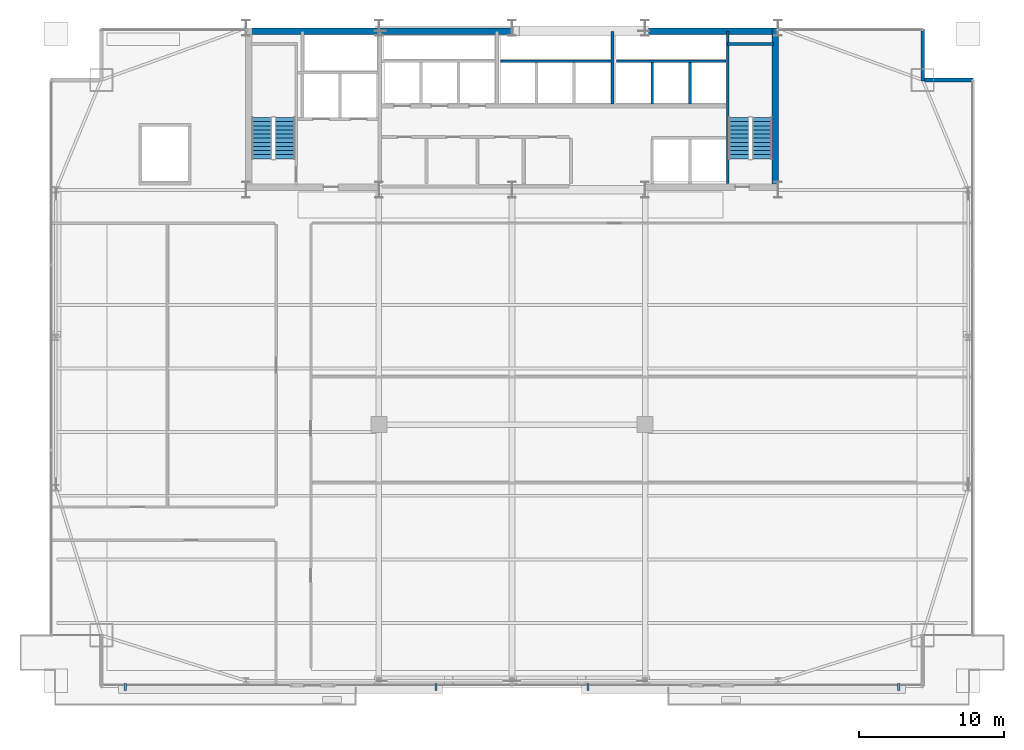
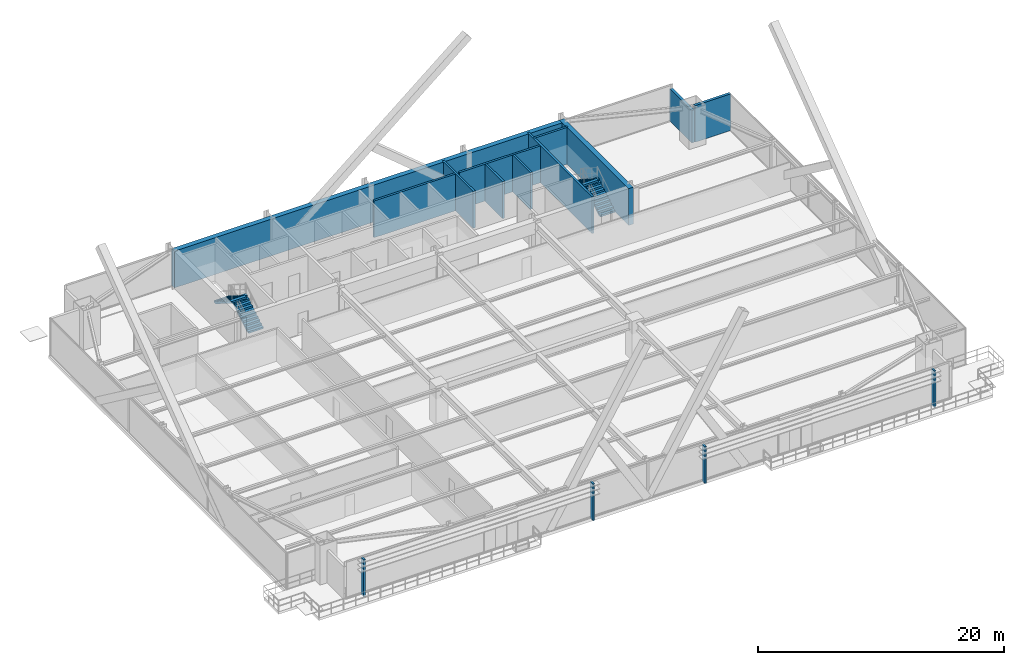
# One storey, part 31 of 34: 11 walls, 4 discrete accessories, 4 stair flights, 2 elements without a shape of their own.
"""IFC4 building model written with IfcOpenShell, lengths in metres."""

from ifc_helpers import new_model, si_unit, direction, frame, frame_2d, origin, origin_2d, place, context, subcontext, project, spatial, polyline, rectangle, outline, extrude, source, transform, mapped, material, layer, layer_set, type_object, type_shapes, element, aggregate, save


model = new_model("IFC4")

# Units and contexts
model_context = context("Model", 3, precision=1e-05, world=origin(), true_north=direction((0.0, 1.0)))
body_context = subcontext(model_context, "Body", "Model", "MODEL_VIEW")
ifc_project = project(units=[si_unit("LENGTHUNIT", "METRE"), si_unit("AREAUNIT", "SQUARE_METRE"), si_unit("VOLUMEUNIT", "CUBIC_METRE"), si_unit("PLANEANGLEUNIT", "RADIAN"), si_unit("MASSUNIT", "GRAM", prefix="KILO")], contexts=[model_context])

# Site, building, storey
site_placement = place(None, origin())
site = spatial("IfcSite", under=ifc_project, at=site_placement, CompositionType="ELEMENT")
building_placement = place(site_placement, origin())
building = spatial("IfcBuilding", under=site, at=building_placement, Name="Varnel Quay Broadcast Tower", CompositionType="ELEMENT")
storey_placement = place(building_placement, frame((0.0, 0.0, 27.60009765625)))
storey = spatial("IfcBuildingStorey", under=building, at=storey_placement, Name="L05", CompositionType="ELEMENT", Elevation=27.60009765625)

# Walls
ifc_material_1 = material(Name="Concrete CSA A23.3 C50/60", Category="concrete")
ifc_layer_1 = layer(ifc_material_1, 0.199951171875, Name="Concrete CSA A23.3 C50/60")
ifc_layer_set_1 = layer_set([ifc_layer_1], Name="Concrete CSA A23.3 C50/60")
wall_type_1 = type_object("IfcWallType", Name="Wall_CoreShaftShear200", PredefinedType="SHEAR", material=ifc_layer_set_1)
wall_1_placement = place(storey_placement, frame((48.919921875, 36.050048828125, 0.0), z_axis=(0.0, 0.0, 1.0), x_axis=(0.0, 1.0, 0.0)))
element("IfcWall", 1, at=wall_1_placement, inside=storey, type_object=wall_type_1, Name="L05 Stair 2 West Structural Wall", PredefinedType="SHEAR", context=body_context, shape_type="SweptSolid", body=[
    extrude(rectangle(XDim=10.5, YDim=0.199951171875, at=frame_2d((5.25, 0.0))), origin(), (0.0, 0.0, 1.0), 3.64990234375),
])
wall_2_placement = place(storey_placement, frame((48.919921875, 45.679931640625, 0.0), z_axis=(0.0, 0.0, 1.0), x_axis=(1.0, 0.0, 0.0)))
element("IfcWall", 2, at=wall_2_placement, inside=storey, type_object=wall_type_1, Name="L05 Stair 2 North Structural Wall", PredefinedType="SHEAR", context=body_context, shape_type="SweptSolid", body=[
    extrude(rectangle(XDim=3.18017578125, YDim=0.199951171875, at=frame_2d((1.590087890625, 0.0))), origin(), (0.0, 0.0, 1.0), 3.64990234375),
])
wall_3_placement = place(storey_placement, frame((33.219970703125, 44.5, 0.0), z_axis=(0.0, 0.0, 1.0), x_axis=(1.0, 0.0, 0.0)))
element("IfcWall", 3, at=wall_3_placement, inside=storey, type_object=wall_type_1, Name="L05 Mid-Rise Lift Shaft Rear Wall", PredefinedType="SHEAR", context=body_context, shape_type="SweptSolid", body=[
    extrude(rectangle(XDim=7.630126953125, YDim=0.199951171875, at=frame_2d((3.81494140625, 0.0))), origin(), (0.0, 0.0, 1.0), 3.64990234375),
])
wall_4_placement = place(storey_placement, frame((40.949951171875, 41.530029296875, 0.0), z_axis=(0.0, 0.0, 1.0), x_axis=(0.0, 1.0, 0.0)))
element("IfcWall", 4, at=wall_4_placement, inside=storey, type_object=wall_type_1, Name="L05 Mid-Rise Lift Shaft Divider 4", PredefinedType="SHEAR", context=body_context, shape_type="SweptSolid", body=[
    extrude(rectangle(XDim=5.02001953125, YDim=0.199951171875, at=frame_2d((2.510009765625, 0.0))), origin(), (0.0, 0.0, 1.0), 3.64990234375),
])
wall_5_placement = place(storey_placement, frame((41.219970703125, 44.5, 0.0), z_axis=(0.0, 0.0, 1.0), x_axis=(1.0, 0.0, 0.0)))
element("IfcWall", 5, at=wall_5_placement, inside=storey, type_object=wall_type_1, Name="L05 High-Rise Lift Shaft Rear Wall", PredefinedType="SHEAR", context=body_context, shape_type="SweptSolid", body=[
    extrude(rectangle(XDim=7.580078125, YDim=0.199951171875, at=frame_2d((3.7900390625, 0.0))), origin(), (0.0, 0.0, 1.0), 3.64990234375),
])
for number, where, z_axis, x_axis, name in (
    (6, (43.699951171875, 41.530029296875, 0.0), (0.0, 0.0, 1.0), (0.0, 1.0, 0.0), "L05 High-Rise Lift Shaft Divider 2"),
    (7, (46.300048828125, 41.530029296875, 0.0), (0.0, 0.0, 1.0), (0.0, 1.0, 0.0), "L05 High-Rise Lift Shaft Divider 3"),
):
    element("IfcWall", number, at=place(storey_placement, frame(where, z_axis=z_axis, x_axis=x_axis)), inside=storey, type_object=wall_type_1, Name=name, PredefinedType="SHEAR", context=body_context, shape_type="SweptSolid", body=[
        extrude(rectangle(XDim=2.869873046875, YDim=0.199951171875, at=frame_2d((1.43505859375, 0.0))), origin(), (0.0, 0.0, 1.0), 3.64990234375),
    ])
ifc_material_2 = material(Name="Concrete CSA A23.3 C60/75", Category="concrete")
ifc_layer_2 = layer(ifc_material_2, 0.449951171875, Name="Concrete CSA A23.3 C60/75")
ifc_layer_set_2 = layer_set([ifc_layer_2], Name="Concrete CSA A23.3 C60/75")
wall_type_2 = type_object("IfcWallType", Name="Wall_CoreShearExt450", PredefinedType="SHEAR", material=ifc_layer_set_2)
wall_6_placement = place(storey_placement, frame((15.60009765625, 46.574951171875, 0.0), z_axis=(0.0, 0.0, 1.0), x_axis=(1.0, 0.0, 0.0)))
element("IfcWall", 8, at=wall_6_placement, inside=storey, type_object=wall_type_2, Name="L05 North Core Shear Wall", PredefinedType="SHEAR", context=body_context, shape_type="SweptSolid", body=[
    extrude(rectangle(XDim=36.7998046875, YDim=0.449951171875, at=frame_2d((18.39990234375, 0.0))), origin(), (0.0, 0.0, 1.0), 3.64990234375),
])
ifc_layer_3 = layer(ifc_material_2, 0.449951171875, Name="Concrete CSA A23.3 C60/75")
ifc_layer_set_3 = layer_set([ifc_layer_3], Name="Concrete CSA A23.3 C60/75")
wall_type_3 = type_object("IfcWallType", Name="Wall_CoreShearInt450", PredefinedType="SHEAR", material=ifc_layer_set_3)
wall_7_placement = place(storey_placement, frame((52.205078125, 35.570068359375, 0.0), z_axis=(0.0, 0.0, 1.0), x_axis=(0.0, 1.0, 0.0)))
element("IfcWall", 9, at=wall_7_placement, inside=storey, type_object=wall_type_3, Name="L05 East Core Shear Wall", PredefinedType="SHEAR", context=body_context, shape_type="SweptSolid", body=[
    extrude(rectangle(XDim=11.22998046875, YDim=0.449951171875, at=frame_2d((5.614990234375, 0.0))), origin(), (0.0, 0.0, 1.0), 3.64990234375),
])
ifc_material_3 = material(Name="Precast Architectural Concrete C40/50", Category="concrete")
ifc_layer_4 = layer(ifc_material_3, 0.25, Name="Precast Architectural Concrete C40/50")
ifc_layer_set_4 = layer_set([ifc_layer_4], Name="Precast Architectural Concrete C40/50")
wall_type_4 = type_object("IfcWallType", Name="Wall_ExtTerrace250", PredefinedType="SOLIDWALL", material=ifc_layer_set_4)
wall_8_placement = place(storey_placement, frame((62.530029296875, 43.199951171875, 0.0), z_axis=(0.0, 0.0, 1.0), x_axis=(1.0, 0.0, 0.0)))
element("IfcWall", 10, at=wall_8_placement, inside=storey, type_object=wall_type_4, Name="L05 Mega-Column Notch Cladding Wall NNE1", PredefinedType="SOLIDWALL", context=body_context, shape_type="SweptSolid", body=[
    extrude(rectangle(XDim=3.389892578125, YDim=0.25, at=frame_2d((1.69482421875, 0.0))), origin(), (0.0, 0.0, 1.0), 3.6298828125),
])
wall_9_placement = place(storey_placement, frame((62.39990234375, 43.1201171875, 0.0), z_axis=(0.0, 0.0, 1.0), x_axis=(0.0, 1.0, 0.0)))
element("IfcWall", 11, at=wall_9_placement, inside=storey, type_object=wall_type_4, Name="L05 Mega-Column Notch Cladding Wall NNE2", PredefinedType="SOLIDWALL", context=body_context, shape_type="SweptSolid", body=[
    extrude(rectangle(XDim=3.599853515625, YDim=0.25, at=frame_2d((1.7998046875, 0.0))), origin(), (0.0, 0.0, 1.0), 3.2080078125),
])

# Stair, stair flights
ifc_material_4 = material(Name="Precast Structural Concrete C40/50", Category="concrete")
stair_type_1 = type_object("IfcStairType", Name="Stair_ST-01", PredefinedType="HALF_TURN_STAIR", material=ifc_material_4)
stair_1_placement = place(storey_placement, origin())
stair_1 = element("IfcStair", 12, at=stair_1_placement, inside=storey, type_object=stair_type_1, Name="L05 West Core Exit Stair 1", PredefinedType="HALF_TURN_STAIR")
stair_flight_type_1 = type_object("IfcStairFlightType", Name="Flight_ST-01", PredefinedType="STRAIGHT", material=ifc_material_4)
stair_flight_1_placement = place(storey_placement, frame((18.300048828125, 37.75, 0.0), z_axis=(0.0, 0.0, 1.0), x_axis=(0.0, 1.0, 0.0)))
stair_flight_1 = element("IfcStairFlight", 13, at=stair_flight_1_placement, type_object=stair_flight_type_1, Name="ST-01 flight 1", NumberOfRisers=11, NumberOfTreads=10, PredefinedType="STRAIGHT", RiserHeight=0.177272727, TreadLength=0.285, context=body_context, shape_type="SweptSolid", body=[
    extrude(outline(polyline([(0.0, 0.0), (0.0, 0.17724609375), (0.284912109375, 0.17724609375), (0.284912109375, 0.3544921875), (0.570068359375, 0.3544921875), (0.570068359375, 0.53173828125), (0.85498046875, 0.53173828125), (0.85498046875, 0.708984375), (1.139892578125, 0.708984375), (1.139892578125, 0.886474609375), (1.425048828125, 0.886474609375), (1.425048828125, 1.063720703125), (1.7099609375, 1.063720703125), (1.7099609375, 1.240966796875), (1.9951171875, 1.240966796875), (1.9951171875, 1.418212890625), (2.280029296875, 1.418212890625), (2.280029296875, 1.595458984375), (2.56494140625, 1.595458984375), (2.56494140625, 1.772705078125), (2.85009765625, 1.772705078125), (2.85009765625, 1.949951171875), (2.85009765625, 1.59619140625), (0.283935546875, 0.0), (0.0, 0.0)])), frame((0.0, 0.699951171875, 0.0), z_axis=(0.0, -1.0, 0.0), x_axis=(1.0, 0.0, 0.0)), (0.0, 0.0, 1.0), 1.39990234375),
])
stair_flight_2_placement = place(storey_placement, frame((16.699951171875, 40.60009765625, 1.949951171875), z_axis=(0.0, 0.0, 1.0), x_axis=(0.0, -1.0, 0.0)))
stair_flight_2 = element("IfcStairFlight", 14, at=stair_flight_2_placement, type_object=stair_flight_type_1, Name="ST-01 flight 2", NumberOfRisers=11, NumberOfTreads=10, PredefinedType="STRAIGHT", RiserHeight=0.177272727, TreadLength=0.285, context=body_context, shape_type="SweptSolid", body=[
    extrude(outline(polyline([(0.0, 0.0), (0.0, 0.17724609375), (0.284912109375, 0.17724609375), (0.284912109375, 0.3544921875), (0.570068359375, 0.3544921875), (0.570068359375, 0.53173828125), (0.85498046875, 0.53173828125), (0.85498046875, 0.708984375), (1.139892578125, 0.708984375), (1.139892578125, 0.886474609375), (1.425048828125, 0.886474609375), (1.425048828125, 1.063720703125), (1.7099609375, 1.063720703125), (1.7099609375, 1.240966796875), (1.9951171875, 1.240966796875), (1.9951171875, 1.418212890625), (2.280029296875, 1.418212890625), (2.280029296875, 1.595458984375), (2.56494140625, 1.595458984375), (2.56494140625, 1.772705078125), (2.85009765625, 1.772705078125), (2.85009765625, 1.949951171875), (2.85009765625, 1.59619140625), (0.283935546875, 0.0), (0.0, 0.0)])), frame((0.0, 0.699951171875, 0.0), z_axis=(0.0, -1.0, 0.0), x_axis=(1.0, 0.0, 0.0)), (0.0, 0.0, 1.0), 1.39990234375),
])
aggregate(stair_1, [stair_flight_1, stair_flight_2])

stair_type_2 = type_object("IfcStairType", Name="Stair_ST-02", PredefinedType="HALF_TURN_STAIR", material=ifc_material_4)
stair_2_placement = place(storey_placement, origin())
stair_2 = element("IfcStair", 15, at=stair_2_placement, inside=storey, type_object=stair_type_2, Name="L05 East Core Exit Stair 2", PredefinedType="HALF_TURN_STAIR")
stair_flight_type_2 = type_object("IfcStairFlightType", Name="Flight_ST-02", PredefinedType="STRAIGHT", material=ifc_material_4)
stair_flight_3_placement = place(storey_placement, frame((51.300048828125, 37.75, 0.0), z_axis=(0.0, 0.0, 1.0), x_axis=(0.0, 1.0, 0.0)))
stair_flight_3 = element("IfcStairFlight", 16, at=stair_flight_3_placement, type_object=stair_flight_type_2, Name="ST-02 flight 1", NumberOfRisers=11, NumberOfTreads=10, PredefinedType="STRAIGHT", RiserHeight=0.177272727, TreadLength=0.285, context=body_context, shape_type="SweptSolid", body=[
    extrude(outline(polyline([(0.0, 0.0), (0.0, 0.17724609375), (0.284912109375, 0.17724609375), (0.284912109375, 0.3544921875), (0.570068359375, 0.3544921875), (0.570068359375, 0.53173828125), (0.85498046875, 0.53173828125), (0.85498046875, 0.708984375), (1.139892578125, 0.708984375), (1.139892578125, 0.886474609375), (1.425048828125, 0.886474609375), (1.425048828125, 1.063720703125), (1.7099609375, 1.063720703125), (1.7099609375, 1.240966796875), (1.9951171875, 1.240966796875), (1.9951171875, 1.418212890625), (2.280029296875, 1.418212890625), (2.280029296875, 1.595458984375), (2.56494140625, 1.595458984375), (2.56494140625, 1.772705078125), (2.85009765625, 1.772705078125), (2.85009765625, 1.949951171875), (2.85009765625, 1.59619140625), (0.283935546875, 0.0), (0.0, 0.0)])), frame((0.0, 0.699951171875, 0.0), z_axis=(0.0, -1.0, 0.0), x_axis=(1.0, 0.0, 0.0)), (0.0, 0.0, 1.0), 1.39990234375),
])
stair_flight_4_placement = place(storey_placement, frame((49.699951171875, 40.60009765625, 1.949951171875), z_axis=(0.0, 0.0, 1.0), x_axis=(0.0, -1.0, 0.0)))
stair_flight_4 = element("IfcStairFlight", 17, at=stair_flight_4_placement, type_object=stair_flight_type_2, Name="ST-02 flight 2", NumberOfRisers=11, NumberOfTreads=10, PredefinedType="STRAIGHT", RiserHeight=0.177272727, TreadLength=0.285, context=body_context, shape_type="SweptSolid", body=[
    extrude(outline(polyline([(0.0, 0.0), (0.0, 0.17724609375), (0.284912109375, 0.17724609375), (0.284912109375, 0.3544921875), (0.570068359375, 0.3544921875), (0.570068359375, 0.53173828125), (0.85498046875, 0.53173828125), (0.85498046875, 0.708984375), (1.139892578125, 0.708984375), (1.139892578125, 0.886474609375), (1.425048828125, 0.886474609375), (1.425048828125, 1.063720703125), (1.7099609375, 1.063720703125), (1.7099609375, 1.240966796875), (1.9951171875, 1.240966796875), (1.9951171875, 1.418212890625), (2.280029296875, 1.418212890625), (2.280029296875, 1.595458984375), (2.56494140625, 1.595458984375), (2.56494140625, 1.772705078125), (2.85009765625, 1.772705078125), (2.85009765625, 1.949951171875), (2.85009765625, 1.59619140625), (0.283935546875, 0.0), (0.0, 0.0)])), frame((0.0, 0.699951171875, 0.0), z_axis=(0.0, -1.0, 0.0), x_axis=(1.0, 0.0, 0.0)), (0.0, 0.0, 1.0), 1.39990234375),
])
aggregate(stair_2, [stair_flight_3, stair_flight_4])

# Discrete accessories
ifc_material_5 = material(Name="Anodised Bronze Aluminium 6063-T6", Category="aluminium")
ifc_layer_5 = layer(ifc_material_5, 0.47998046875, Name="Anodised Bronze Aluminium 6063-T6")
ifc_layer_set_5 = layer_set([ifc_layer_5], Name="Anodised Bronze Aluminium 6063-T6")
discrete_accessory_type = type_object("IfcDiscreteAccessoryType", Name="Acc_FacadeBracket", PredefinedType="BRACKET", material=ifc_layer_set_5)
shared_shape = source(origin(), body_context, "Body", "SweptSolid", [
    extrude(rectangle(XDim=0.159912109375, YDim=0.47998046875, at=origin_2d()), origin(), (0.0, 0.0, 1.0), 3.64990234375),
])
type_shapes(discrete_accessory_type, [shared_shape])
for number, where, z_axis, x_axis, name in (
    (18, (7.25, 1.219970703125, -0.150146484375), (0.0, 0.0, 1.0), (1.0, 0.0, 0.0), "L05 Lobe 1 Louvre Support Bracket 1"),
    (19, (28.75, 1.219970703125, -0.150146484375), (0.0, 0.0, 1.0), (1.0, 0.0, 0.0), "L05 Lobe 1 Louvre Support Bracket 2"),
    (20, (39.25, 1.219970703125, -0.150146484375), (0.0, 0.0, 1.0), (1.0, 0.0, 0.0), "L05 Lobe 2 Louvre Support Bracket 1"),
    (21, (60.75, 1.219970703125, -0.150146484375), (0.0, 0.0, 1.0), (1.0, 0.0, 0.0), "L05 Lobe 2 Louvre Support Bracket 2"),
):
    element("IfcDiscreteAccessory", number, at=place(storey_placement, frame(where, z_axis=z_axis, x_axis=x_axis)), inside=storey, type_object=discrete_accessory_type, Name=name, PredefinedType="BRACKET", context=body_context, shape_type="MappedRepresentation", body=[
        mapped(shared_shape, transform((0.0, 0.0, 0.0), x_axis=(1.0, 0.0, 0.0), y_axis=(0.0, 1.0, 0.0), z_axis=(0.0, 0.0, 1.0), scale=1.0)),
    ])

save(model, "model.ifc")
